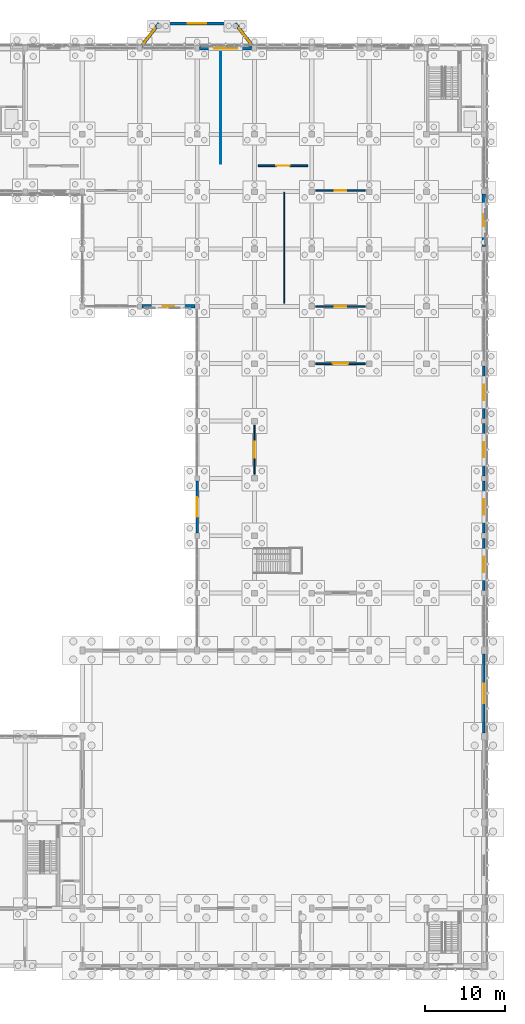
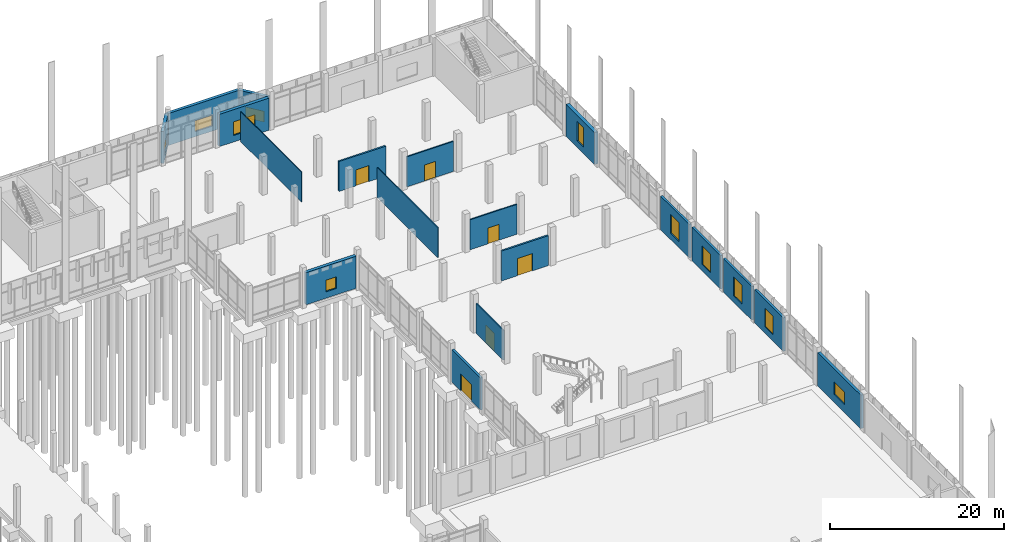
# One storey, part 90 of 109: 19 walls, 11 windows, 6 doors, 17 openings.
"""IFC4 building model written with IfcOpenShell, lengths in metres."""

from ifc_helpers import new_model, si_unit, direction, frame, frame_2d, origin, place, context, subcontext, project, spatial, rectangle, extrude, material, layer, layer_set, type_object, element, fill, save


model = new_model("IFC4")

# Units and contexts
model_context = context("Model", 3, precision=1e-05, world=origin(), true_north=direction((0.0, 1.0)))
body_context = subcontext(model_context, "Body", "Model", "MODEL_VIEW")
ifc_project = project(units=[si_unit("LENGTHUNIT", "METRE"), si_unit("AREAUNIT", "SQUARE_METRE"), si_unit("VOLUMEUNIT", "CUBIC_METRE"), si_unit("PLANEANGLEUNIT", "RADIAN"), si_unit("MASSUNIT", "GRAM", prefix="KILO")], contexts=[model_context])

# Site, building, storey
site_placement = place(None, origin())
site = spatial("IfcSite", under=ifc_project, at=site_placement, CompositionType="ELEMENT")
building_placement = place(site_placement, origin())
building = spatial("IfcBuilding", under=site, at=building_placement, Name="Lusvemor Sports Hall", CompositionType="ELEMENT")
storey_placement = place(building_placement, origin())
storey = spatial("IfcBuildingStorey", under=building, at=storey_placement, Name="L00", CompositionType="ELEMENT", Elevation=0.0)

# Wall, opening, window
ifc_material_1 = material(Name="Emerald polychrome glazed ceramic cladding on Concrete C40/50 backing", Category="concrete")
ifc_layer_1 = layer(ifc_material_1, 0.2900390625)
ifc_layer_set_1 = layer_set([ifc_layer_1], Name="Emerald polychrome glazed ceramic cladding on Concrete C40/50 backing")
wall_type_1 = type_object("IfcWallType", Name="EW_CLIMB_290", PredefinedType="STANDARD", material=ifc_layer_set_1)
wall_1_placement = place(storey_placement, frame((169.199951171875, 53.68408203125, 0.0), z_axis=(0.0, 0.0, 1.0), x_axis=(0.0, -1.0, 0.0)))
wall_1 = element("IfcWall", 1, at=wall_1_placement, inside=storey, type_object=wall_type_1, Name="Exterior Wall EW-V3E-L00-0", PredefinedType="STANDARD", context=body_context, shape_type="SweptSolid", body=[
    extrude(rectangle(XDim=6.568115234375, YDim=0.2900390625, at=frame_2d((3.2841796875, 0.0))), origin(), (0.0, 0.0, 1.0), 4.699951171875),
])
opening_1_placement = place(wall_1_placement, frame((2.323974609375, 0.0, 0.89990234375)))
opening_1 = element("IfcOpeningElement", 2, at=opening_1_placement, cuts=wall_1, Name="Opening WN23", PredefinedType="OPENING", context=body_context, shape_type="SweptSolid", body=[
    extrude(rectangle(XDim=1.919921875, YDim=2.6201171875, at=frame_2d((0.9599609375, 1.31005859375))), frame((0.0, 0.14501953125, 0.0), z_axis=(0.0, -1.0, 0.0), x_axis=(1.0, 0.0, 0.0)), (0.0, 0.0, 1.0), 0.2900390625),
])
ifc_material_2 = material(Name="Solar-control laminated double glazing", Category="glass")
window_type_1 = type_object("IfcWindowType", Name="WIN_23", PartitioningType="SINGLE_PANEL", PredefinedType="WINDOW", material=ifc_material_2)
window_1_placement = place(opening_1_placement, origin())
window_1 = element("IfcWindow", 3, at=window_1_placement, inside=storey, type_object=window_type_1, Name="Climbing Hall East Window L00-0", OverallHeight=2.6201171875, OverallWidth=1.919921875, PartitioningType="SINGLE_PANEL", PredefinedType="WINDOW", context=body_context, shape_type="SweptSolid", body=[
    extrude(rectangle(XDim=1.919921875, YDim=2.6201171875, at=frame_2d((0.9599609375, 1.31005859375))), frame((0.0, 0.030029296875, 0.0), z_axis=(0.0, -1.0, 0.0), x_axis=(1.0, 0.0, 0.0)), (0.0, 0.0, 1.0), 0.06005859375),
])
fill(opening_1, window_1)

# Wall, opening, door
wall_2_placement = place(storey_placement, frame((133.199951171875, 54.31591796875, 0.0), z_axis=(0.0, 0.0, 1.0), x_axis=(0.0, 1.0, 0.0)))
wall_2 = element("IfcWall", 4, at=wall_2_placement, inside=storey, type_object=wall_type_1, Name="Exterior Wall EW-V3W-L00-ENT", PredefinedType="STANDARD", context=body_context, shape_type="SweptSolid", body=[
    extrude(rectangle(XDim=6.568115234375, YDim=0.2900390625, at=frame_2d((3.2841796875, 0.0))), origin(), (0.0, 0.0, 1.0), 4.514892578125),
])
opening_2_placement = place(wall_2_placement, frame((2.053955078125, 0.0, 0.0)))
opening_2 = element("IfcOpeningElement", 5, at=opening_2_placement, cuts=wall_2, Name="Opening EG02", PredefinedType="OPENING", context=body_context, shape_type="SweptSolid", body=[
    extrude(rectangle(XDim=2.4599609375, YDim=2.340087890625, at=frame_2d((1.22998046875, 1.169921875))), frame((0.0, 0.14501953125, 0.0), z_axis=(0.0, -1.0, 0.0), x_axis=(1.0, 0.0, 0.0)), (0.0, 0.0, 1.0), 0.2900390625),
])
ifc_material_3 = material(Name="Thermally broken bronze-anodized aluminium", Category="aluminium")
door_type_1 = type_object("IfcDoorType", Name="EGATE_COURT_246x234", OperationType="NOTDEFINED", PredefinedType="GATE", material=ifc_material_3)
door_1_placement = place(opening_2_placement, origin())
door_1 = element("IfcDoor", 6, at=door_1_placement, inside=storey, type_object=door_type_1, Name="DR-026", OperationType="SINGLE_SWING_LEFT", OverallHeight=2.340087890625, OverallWidth=2.4599609375, PredefinedType="GATE", context=body_context, shape_type="SweptSolid", body=[
    extrude(rectangle(XDim=2.4599609375, YDim=2.340087890625, at=frame_2d((1.22998046875, 1.169921875))), frame((0.0, 0.02490234375, 0.0), z_axis=(0.0, -1.0, 0.0), x_axis=(1.0, 0.0, 0.0)), (0.0, 0.0, 1.0), 0.050048828125),
])
fill(opening_2, door_1)

# Wall, opening, window
wall_3_placement = place(storey_placement, frame((169.199951171875, 60.884033203125, 0.0), z_axis=(0.0, 0.0, 1.0), x_axis=(0.0, -1.0, 0.0)))
wall_3 = element("IfcWall", 7, at=wall_3_placement, inside=storey, type_object=wall_type_1, Name="Exterior Wall EW-V3E-L00-1", PredefinedType="STANDARD", context=body_context, shape_type="SweptSolid", body=[
    extrude(rectangle(XDim=6.568115234375, YDim=0.2900390625, at=frame_2d((3.2841796875, 0.0))), origin(), (0.0, 0.0, 1.0), 4.699951171875),
])
opening_3_placement = place(wall_3_placement, frame((2.323974609375, 0.0, 0.89990234375)))
opening_3 = element("IfcOpeningElement", 8, at=opening_3_placement, cuts=wall_3, Name="Opening WN23", PredefinedType="OPENING", context=body_context, shape_type="SweptSolid", body=[
    extrude(rectangle(XDim=1.919921875, YDim=2.6201171875, at=frame_2d((0.9599609375, 1.31005859375))), frame((0.0, 0.14501953125, 0.0), z_axis=(0.0, -1.0, 0.0), x_axis=(1.0, 0.0, 0.0)), (0.0, 0.0, 1.0), 0.2900390625),
])
window_2_placement = place(opening_3_placement, origin())
window_2 = element("IfcWindow", 9, at=window_2_placement, inside=storey, type_object=window_type_1, Name="Climbing Hall East Window L00-1", OverallHeight=2.6201171875, OverallWidth=1.919921875, PartitioningType="SINGLE_PANEL", PredefinedType="WINDOW", context=body_context, shape_type="SweptSolid", body=[
    extrude(rectangle(XDim=1.919921875, YDim=2.6201171875, at=frame_2d((0.9599609375, 1.31005859375))), frame((0.0, 0.030029296875, 0.0), z_axis=(0.0, -1.0, 0.0), x_axis=(1.0, 0.0, 0.0)), (0.0, 0.0, 1.0), 0.06005859375),
])
fill(opening_3, window_2)

wall_4_placement = place(storey_placement, frame((169.199951171875, 68.083984375, 0.0), z_axis=(0.0, 0.0, 1.0), x_axis=(0.0, -1.0, 0.0)))
wall_4 = element("IfcWall", 10, at=wall_4_placement, inside=storey, type_object=wall_type_1, Name="Exterior Wall EW-V3E-L00-2", PredefinedType="STANDARD", context=body_context, shape_type="SweptSolid", body=[
    extrude(rectangle(XDim=6.56787109375, YDim=0.2900390625, at=frame_2d((3.283935546875, 0.0))), origin(), (0.0, 0.0, 1.0), 4.699951171875),
])
opening_4_placement = place(wall_4_placement, frame((2.323974609375, 0.0, 0.89990234375)))
opening_4 = element("IfcOpeningElement", 11, at=opening_4_placement, cuts=wall_4, Name="Opening WN23", PredefinedType="OPENING", context=body_context, shape_type="SweptSolid", body=[
    extrude(rectangle(XDim=1.919921875, YDim=2.6201171875, at=frame_2d((0.9599609375, 1.31005859375))), frame((0.0, 0.14501953125, 0.0), z_axis=(0.0, -1.0, 0.0), x_axis=(1.0, 0.0, 0.0)), (0.0, 0.0, 1.0), 0.2900390625),
])
window_3_placement = place(opening_4_placement, origin())
window_3 = element("IfcWindow", 12, at=window_3_placement, inside=storey, type_object=window_type_1, Name="Climbing Hall East Window L00-2", OverallHeight=2.6201171875, OverallWidth=1.919921875, PartitioningType="SINGLE_PANEL", PredefinedType="WINDOW", context=body_context, shape_type="SweptSolid", body=[
    extrude(rectangle(XDim=1.919921875, YDim=2.6201171875, at=frame_2d((0.9599609375, 1.31005859375))), frame((0.0, 0.030029296875, 0.0), z_axis=(0.0, -1.0, 0.0), x_axis=(1.0, 0.0, 0.0)), (0.0, 0.0, 1.0), 0.06005859375),
])
fill(opening_4, window_3)

wall_5_placement = place(storey_placement, frame((169.199951171875, 75.283935546875, 0.0), z_axis=(0.0, 0.0, 1.0), x_axis=(0.0, -1.0, 0.0)))
wall_5 = element("IfcWall", 13, at=wall_5_placement, inside=storey, type_object=wall_type_1, Name="Exterior Wall EW-V3E-L00-3", PredefinedType="STANDARD", context=body_context, shape_type="SweptSolid", body=[
    extrude(rectangle(XDim=6.56787109375, YDim=0.2900390625, at=frame_2d((3.283935546875, 0.0))), origin(), (0.0, 0.0, 1.0), 4.699951171875),
])
opening_5_placement = place(wall_5_placement, frame((2.323974609375, 0.0, 0.89990234375)))
opening_5 = element("IfcOpeningElement", 14, at=opening_5_placement, cuts=wall_5, Name="Opening WN23", PredefinedType="OPENING", context=body_context, shape_type="SweptSolid", body=[
    extrude(rectangle(XDim=1.919921875, YDim=2.6201171875, at=frame_2d((0.9599609375, 1.31005859375))), frame((0.0, 0.14501953125, 0.0), z_axis=(0.0, -1.0, 0.0), x_axis=(1.0, 0.0, 0.0)), (0.0, 0.0, 1.0), 0.2900390625),
])
window_4_placement = place(opening_5_placement, origin())
window_4 = element("IfcWindow", 15, at=window_4_placement, inside=storey, type_object=window_type_1, Name="Climbing Hall East Window L00-3", OverallHeight=2.6201171875, OverallWidth=1.919921875, PartitioningType="SINGLE_PANEL", PredefinedType="WINDOW", context=body_context, shape_type="SweptSolid", body=[
    extrude(rectangle(XDim=1.919921875, YDim=2.6201171875, at=frame_2d((0.9599609375, 1.31005859375))), frame((0.0, 0.030029296875, 0.0), z_axis=(0.0, -1.0, 0.0), x_axis=(1.0, 0.0, 0.0)), (0.0, 0.0, 1.0), 0.06005859375),
])
fill(opening_5, window_4)

ifc_material_4 = material(Name="Precast granite-faced Concrete C40/50 architectural cladding", Category="masonry")
ifc_layer_2 = layer(ifc_material_4, 0.39501953125)
ifc_layer_set_2 = layer_set([ifc_layer_2], Name="Precast granite-faced Concrete C40/50 architectural cladding")
wall_type_2 = type_object("IfcWallType", Name="EW_GRANITE_395", PredefinedType="STANDARD", material=ifc_layer_set_2)
wall_6_placement = place(storey_placement, frame((126.14697265625, 115.389892578125, 0.0), z_axis=(0.0, 0.0, 1.0), x_axis=(0.612173192991, 0.790723707614, 0.0)))
wall_6 = element("IfcWall", 16, at=wall_6_placement, inside=storey, type_object=wall_type_2, Name="Art Nouveau Bow Wall EW-BOW-N3-L00-1", PredefinedType="STANDARD", context=body_context, shape_type="SweptSolid", body=[
    extrude(rectangle(XDim=3.723388671875, YDim=0.39501953125, at=frame_2d((1.86181640625, 0.0))), origin(), (0.0, 0.0, 1.0), 4.47998046875),
])
opening_6_placement = place(wall_6_placement, frame((0.56005859375, 0.0, 0.699951171875)))
opening_6 = element("IfcOpeningElement", 17, at=opening_6_placement, cuts=wall_6, Name="Opening WN21", PredefinedType="OPENING", context=body_context, shape_type="SweptSolid", body=[
    extrude(rectangle(XDim=2.320068359375, YDim=1.52001953125, at=frame_2d((1.16015625, 0.760009765625))), frame((0.0, 0.197509765625, 0.0), z_axis=(0.0, -1.0, 0.0), x_axis=(1.0, 0.0, 0.0)), (0.0, 0.0, 1.0), 0.39501953125),
])
ifc_material_5 = material(Name="Solar-control laminated double glazing", Category="glass")
window_type_2 = type_object("IfcWindowType", Name="WIN_21", PartitioningType="SINGLE_PANEL", PredefinedType="WINDOW", material=ifc_material_5)
window_5_placement = place(opening_6_placement, origin())
window_5 = element("IfcWindow", 18, at=window_5_placement, inside=storey, type_object=window_type_2, Name="Art Nouveau Bow Window BOW-N3 L00-1", OverallHeight=1.52001953125, OverallWidth=2.320068359375, PartitioningType="SINGLE_PANEL", PredefinedType="WINDOW", context=body_context, shape_type="SweptSolid", body=[
    extrude(rectangle(XDim=2.320068359375, YDim=1.52001953125, at=frame_2d((1.16015625, 0.760009765625))), frame((0.0, 0.030029296875, 0.0), z_axis=(0.0, -1.0, 0.0), x_axis=(1.0, 0.0, 0.0)), (0.0, 0.0, 1.0), 0.06005859375),
])
fill(opening_6, window_5)

wall_7_placement = place(storey_placement, frame((128.52001953125, 118.300048828125, 0.0), z_axis=(0.0, 0.0, 1.0), x_axis=(1.0, 0.0, 0.0)))
wall_7 = element("IfcWall", 19, at=wall_7_placement, inside=storey, type_object=wall_type_2, Name="Art Nouveau Bow Wall EW-BOW-N3-L00-2", PredefinedType="STANDARD", context=body_context, shape_type="SweptSolid", body=[
    extrude(rectangle(XDim=9.35986328125, YDim=0.39501953125, at=frame_2d((4.679931640625, 0.0))), origin(), (0.0, 0.0, 1.0), 4.47998046875),
])
opening_7_placement = place(wall_7_placement, frame((3.52001953125, 0.0, 0.699951171875)))
opening_7 = element("IfcOpeningElement", 20, at=opening_7_placement, cuts=wall_7, Name="Opening WN21", PredefinedType="OPENING", context=body_context, shape_type="SweptSolid", body=[
    extrude(rectangle(XDim=2.320068359375, YDim=1.52001953125, at=frame_2d((1.16015625, 0.760009765625))), frame((0.0, 0.197509765625, 0.0), z_axis=(0.0, -1.0, 0.0), x_axis=(1.0, 0.0, 0.0)), (0.0, 0.0, 1.0), 0.39501953125),
])
window_6_placement = place(opening_7_placement, origin())
window_6 = element("IfcWindow", 21, at=window_6_placement, inside=storey, type_object=window_type_2, Name="Art Nouveau Bow Window BOW-N3 L00-2", OverallHeight=1.52001953125, OverallWidth=2.320068359375, PartitioningType="SINGLE_PANEL", PredefinedType="WINDOW", context=body_context, shape_type="SweptSolid", body=[
    extrude(rectangle(XDim=2.320068359375, YDim=1.52001953125, at=frame_2d((1.16015625, 0.760009765625))), frame((0.0, 0.030029296875, 0.0), z_axis=(0.0, -1.0, 0.0), x_axis=(1.0, 0.0, 0.0)), (0.0, 0.0, 1.0), 0.06005859375),
])
fill(opening_7, window_6)

wall_8_placement = place(storey_placement, frame((137.9736328125, 118.333984375, 0.0), z_axis=(0.0, 0.0, 1.0), x_axis=(0.612214188553, -0.790691967415, 0.0)))
wall_8 = element("IfcWall", 22, at=wall_8_placement, inside=storey, type_object=wall_type_2, Name="Art Nouveau Bow Wall EW-BOW-N3-L00-3", PredefinedType="STANDARD", context=body_context, shape_type="SweptSolid", body=[
    extrude(rectangle(XDim=3.723388671875, YDim=0.39501953125, at=frame_2d((1.86181640625, 0.0))), origin(), (0.0, 0.0, 1.0), 4.47998046875),
])
opening_8_placement = place(wall_8_placement, frame((0.843017578125, 0.0, 0.699951171875)))
opening_8 = element("IfcOpeningElement", 23, at=opening_8_placement, cuts=wall_8, Name="Opening WN21", PredefinedType="OPENING", context=body_context, shape_type="SweptSolid", body=[
    extrude(rectangle(XDim=2.320068359375, YDim=1.52001953125, at=frame_2d((1.16015625, 0.760009765625))), frame((0.0, 0.197509765625, 0.0), z_axis=(0.0, -1.0, 0.0), x_axis=(1.0, 0.0, 0.0)), (0.0, 0.0, 1.0), 0.39501953125),
])
window_7_placement = place(opening_8_placement, origin())
window_7 = element("IfcWindow", 24, at=window_7_placement, inside=storey, type_object=window_type_2, Name="Art Nouveau Bow Window BOW-N3 L00-3", OverallHeight=1.52001953125, OverallWidth=2.320068359375, PartitioningType="SINGLE_PANEL", PredefinedType="WINDOW", context=body_context, shape_type="SweptSolid", body=[
    extrude(rectangle(XDim=2.320068359375, YDim=1.52001953125, at=frame_2d((1.16015625, 0.760009765625))), frame((0.0, 0.030029296875, 0.0), z_axis=(0.0, -1.0, 0.0), x_axis=(1.0, 0.0, 0.0)), (0.0, 0.0, 1.0), 0.06005859375),
])
fill(opening_8, window_7)

ifc_material_6 = material(Name="Precast granite-faced Concrete C40/50 architectural cladding", Category="masonry")
ifc_layer_3 = layer(ifc_material_6, 0.419921875)
ifc_layer_set_3 = layer_set([ifc_layer_3], Name="Precast granite-faced Concrete C40/50 architectural cladding")
wall_type_3 = type_object("IfcWallType", Name="EW_GRANITE_420", PredefinedType="STANDARD", material=ifc_layer_set_3)
wall_9_placement = place(storey_placement, frame((133.47607421875, 115.199951171875, 0.0), z_axis=(0.0, 0.0, 1.0), x_axis=(1.0, 0.0, 0.0)))
wall_9 = element("IfcWall", 25, at=wall_9_placement, inside=storey, type_object=wall_type_3, Name="Exterior Wall EW-L00-N-1-14", PredefinedType="STANDARD", context=body_context, shape_type="SweptSolid", body=[
    extrude(rectangle(XDim=6.57666015625, YDim=0.419921875, at=frame_2d((3.288330078125, 0.0))), origin(), (0.0, 0.0, 1.0), 4.514892578125),
])
opening_9_placement = place(wall_9_placement, frame((1.904052734375, 0.0, 0.89990234375)))
opening_9 = element("IfcOpeningElement", 26, at=opening_9_placement, cuts=wall_9, Name="Opening WN17", PredefinedType="OPENING", context=body_context, shape_type="SweptSolid", body=[
    extrude(rectangle(XDim=2.840087890625, YDim=1.919921875, at=frame_2d((1.419921875, 0.9599609375))), frame((0.0, 0.2099609375, 0.0), z_axis=(0.0, -1.0, 0.0), x_axis=(1.0, 0.0, 0.0)), (0.0, 0.0, 1.0), 0.419921875),
])
ifc_material_7 = material(Name="Solar-control laminated double glazing", Category="glass")
window_type_3 = type_object("IfcWindowType", Name="WIN_17", PartitioningType="SINGLE_PANEL", PredefinedType="WINDOW", material=ifc_material_7)
window_8_placement = place(opening_9_placement, origin())
window_8 = element("IfcWindow", 27, at=window_8_placement, inside=storey, type_object=window_type_3, Name="Wing Window L00-N-1-14", OverallHeight=1.919921875, OverallWidth=2.840087890625, PartitioningType="SINGLE_PANEL", PredefinedType="WINDOW", context=body_context, shape_type="SweptSolid", body=[
    extrude(rectangle(XDim=2.840087890625, YDim=1.919921875, at=frame_2d((1.419921875, 0.9599609375))), frame((0.0, 0.030029296875, 0.0), z_axis=(0.0, -1.0, 0.0), x_axis=(1.0, 0.0, 0.0)), (0.0, 0.0, 1.0), 0.06005859375),
])
fill(opening_9, window_8)

wall_10_placement = place(storey_placement, frame((169.199951171875, 96.884033203125, 0.0), z_axis=(0.0, 0.0, 1.0), x_axis=(0.0, -1.0, 0.0)))
wall_10 = element("IfcWall", 28, at=wall_10_placement, inside=storey, type_object=wall_type_3, Name="Exterior Wall EW-L00-E-2-1", PredefinedType="STANDARD", context=body_context, shape_type="SweptSolid", body=[
    extrude(rectangle(XDim=6.568115234375, YDim=0.419921875, at=frame_2d((3.2841796875, 0.0))), origin(), (0.0, 0.0, 1.0), 4.5048828125),
])
opening_10_placement = place(wall_10_placement, frame((2.52392578125, 0.0, 0.89990234375)))
opening_10 = element("IfcOpeningElement", 29, at=opening_10_placement, cuts=wall_10, Name="Opening WN06", PredefinedType="OPENING", context=body_context, shape_type="SweptSolid", body=[
    extrude(rectangle(XDim=1.52001953125, YDim=2.75, at=frame_2d((0.760009765625, 1.375))), frame((0.0, 0.2099609375, 0.0), z_axis=(0.0, -1.0, 0.0), x_axis=(1.0, 0.0, 0.0)), (0.0, 0.0, 1.0), 0.419921875),
])
ifc_material_8 = material(Name="Solar-control laminated double glazing", Category="glass")
window_type_4 = type_object("IfcWindowType", Name="WIN_06", PartitioningType="SINGLE_PANEL", PredefinedType="WINDOW", material=ifc_material_8)
window_9_placement = place(opening_10_placement, origin())
window_9 = element("IfcWindow", 30, at=window_9_placement, inside=storey, type_object=window_type_4, Name="Wing Window L00-E-2-1", OverallHeight=2.75, OverallWidth=1.52001953125, PartitioningType="SINGLE_PANEL", PredefinedType="WINDOW", context=body_context, shape_type="SweptSolid", body=[
    extrude(rectangle(XDim=1.52001953125, YDim=2.75, at=frame_2d((0.760009765625, 1.375))), frame((0.0, 0.030029296875, 0.0), z_axis=(0.0, -1.0, 0.0), x_axis=(1.0, 0.0, 0.0)), (0.0, 0.0, 1.0), 0.06005859375),
])
fill(opening_10, window_9)

wall_11_placement = place(storey_placement, frame((132.924072265625, 82.800048828125, 0.0), z_axis=(0.0, 0.0, 1.0), x_axis=(-1.0, 0.0, 0.0)))
wall_11 = element("IfcWall", 31, at=wall_11_placement, inside=storey, type_object=wall_type_3, Name="Exterior Wall EW-L00-S-5-1", PredefinedType="STANDARD", context=body_context, shape_type="SweptSolid", body=[
    extrude(rectangle(XDim=6.648193359375, YDim=0.419921875, at=frame_2d((3.32421875, 0.0))), origin(), (0.0, 0.0, 1.0), 4.5048828125),
])
opening_11_placement = place(wall_11_placement, frame((2.614013671875, 0.0, 0.89990234375)))
opening_11 = element("IfcOpeningElement", 32, at=opening_11_placement, cuts=wall_11, Name="Opening WN12", PredefinedType="OPENING", context=body_context, shape_type="SweptSolid", body=[
    extrude(rectangle(XDim=1.419921875, YDim=1.6201171875, at=frame_2d((0.7099609375, 0.81005859375))), frame((0.0, 0.2099609375, 0.0), z_axis=(0.0, -1.0, 0.0), x_axis=(1.0, 0.0, 0.0)), (0.0, 0.0, 1.0), 0.419921875),
])
ifc_material_9 = material(Name="Solar-control laminated double glazing", Category="glass")
window_type_5 = type_object("IfcWindowType", Name="WIN_12", PartitioningType="SINGLE_PANEL", PredefinedType="WINDOW", material=ifc_material_9)
window_10_placement = place(opening_11_placement, origin())
window_10 = element("IfcWindow", 33, at=window_10_placement, inside=storey, type_object=window_type_5, Name="Wing Window L00-S-5-1", OverallHeight=1.6201171875, OverallWidth=1.419921875, PartitioningType="SINGLE_PANEL", PredefinedType="WINDOW", context=body_context, shape_type="SweptSolid", body=[
    extrude(rectangle(XDim=1.419921875, YDim=1.6201171875, at=frame_2d((0.7099609375, 0.81005859375))), frame((0.0, 0.030029296875, 0.0), z_axis=(0.0, -1.0, 0.0), x_axis=(1.0, 0.0, 0.0)), (0.0, 0.0, 1.0), 0.06005859375),
])
fill(opening_11, window_10)

ifc_material_10 = material(Name="Warm terracotta Art Nouveau ceramic cladding on Concrete C40/50 backing", Category="masonry")
ifc_layer_4 = layer(ifc_material_10, 0.340087890625)
ifc_layer_set_4 = layer_set([ifc_layer_4], Name="Warm terracotta Art Nouveau ceramic cladding on Concrete C40/50 backing")
wall_type_4 = type_object("IfcWallType", Name="EW_TERR_CAV_340", PredefinedType="STANDARD", material=ifc_layer_set_4)
wall_12_placement = place(storey_placement, frame((169.199951171875, 39.154052734375, 0.0), z_axis=(0.0, 0.0, 1.0), x_axis=(0.0, -1.0, 0.0)))
wall_12 = element("IfcWall", 34, at=wall_12_placement, inside=storey, type_object=wall_type_4, Name="Exterior Wall EW-V2E-L00-3", PredefinedType="STANDARD", context=body_context, shape_type="SweptSolid", body=[
    extrude(rectangle(XDim=9.907958984375, YDim=0.340087890625, at=frame_2d((4.9541015625, 0.0))), origin(), (0.0, 0.0, 1.0), 4.699951171875),
])
opening_12_placement = place(wall_12_placement, frame((3.714111328125, 0.0, 1.10009765625)))
opening_12 = element("IfcOpeningElement", 35, at=opening_12_placement, cuts=wall_12, Name="Opening WN34", PredefinedType="OPENING", context=body_context, shape_type="SweptSolid", body=[
    extrude(rectangle(XDim=2.47998046875, YDim=1.739990234375, at=frame_2d((1.239990234375, 0.8701171875))), frame((0.0, 0.169921875, 0.0), z_axis=(0.0, -1.0, 0.0), x_axis=(1.0, 0.0, 0.0)), (0.0, 0.0, 1.0), 0.340087890625),
])
ifc_material_11 = material(Name="Solar-control laminated double glazing", Category="glass")
window_type_6 = type_object("IfcWindowType", Name="WIN_34", PartitioningType="SINGLE_PANEL", PredefinedType="WINDOW", material=ifc_material_11)
window_11_placement = place(opening_12_placement, origin())
window_11 = element("IfcWindow", 36, at=window_11_placement, inside=storey, type_object=window_type_6, Name="East Facade Window L00-3", OverallHeight=1.739990234375, OverallWidth=2.47998046875, PartitioningType="SINGLE_PANEL", PredefinedType="WINDOW", context=body_context, shape_type="SweptSolid", body=[
    extrude(rectangle(XDim=2.47998046875, YDim=1.739990234375, at=frame_2d((1.239990234375, 0.8701171875))), frame((0.0, 0.030029296875, 0.0), z_axis=(0.0, -1.0, 0.0), x_axis=(1.0, 0.0, 0.0)), (0.0, 0.0, 1.0), 0.06005859375),
])
fill(opening_12, window_11)

# Wall, opening, door
ifc_material_12 = material(Name="Double-leaf acoustic gypsum board on metal studs")
ifc_layer_5 = layer(ifc_material_12, 0.179931640625)
ifc_layer_set_5 = layer_set([ifc_layer_5], Name="Double-leaf acoustic gypsum board on metal studs")
wall_type_5 = type_object("IfcWallType", Name="IW_ACOUST_184", PredefinedType="STANDARD", material=ifc_layer_set_5)
wall_13_placement = place(storey_placement, frame((140.39990234375, 61.699951171875, 0.0), z_axis=(0.0, 0.0, 1.0), x_axis=(0.0, 1.0, 0.0)))
wall_13 = element("IfcWall", 37, at=wall_13_placement, inside=storey, type_object=wall_type_5, Name="Partition IW-L00-BOULD-E", PredefinedType="STANDARD", context=body_context, shape_type="SweptSolid", body=[
    extrude(rectangle(XDim=6.199951171875, YDim=0.179931640625, at=frame_2d((3.10009765625, 0.0))), origin(), (0.0, 0.0, 1.0), 4.199951171875),
])
opening_13_placement = place(wall_13_placement, frame((2.10009765625, 0.0, 0.0)))
opening_13 = element("IfcOpeningElement", 38, at=opening_13_placement, cuts=wall_13, Name="Opening ID03", PredefinedType="OPENING", context=body_context, shape_type="SweptSolid", body=[
    extrude(rectangle(XDim=2.0, YDim=2.419921875, at=frame_2d((1.0, 1.2099609375))), frame((0.0, 0.08984375, 0.0), z_axis=(0.0, -1.0, 0.0), x_axis=(1.0, 0.0, 0.0)), (0.0, 0.0, 1.0), 0.179931640625),
])
ifc_material_13 = material(Name="Acoustic solid-core hardwood door leaf in steel frame", Category="steel")
door_type_2 = type_object("IfcDoorType", Name="IDR_CLIMB_DBL_200", OperationType="NOTDEFINED", PredefinedType="DOOR", material=ifc_material_13)
door_2_placement = place(opening_13_placement, origin())
door_2 = element("IfcDoor", 39, at=door_2_placement, inside=storey, type_object=door_type_2, Name="DR-155", OperationType="SINGLE_SWING_LEFT", OverallHeight=2.419921875, OverallWidth=2.0, PredefinedType="DOOR", context=body_context, shape_type="SweptSolid", body=[
    extrude(rectangle(XDim=2.0, YDim=2.419921875, at=frame_2d((1.0, 1.2099609375))), frame((0.0, 0.02490234375, 0.0), z_axis=(0.0, -1.0, 0.0), x_axis=(1.0, 0.0, 0.0)), (0.0, 0.0, 1.0), 0.050048828125),
])
fill(opening_13, door_2)

wall_14_placement = place(storey_placement, frame((148.10009765625, 97.35009765625, 0.0), z_axis=(0.0, 0.0, 1.0), x_axis=(1.0, 0.0, 0.0)))
wall_14 = element("IfcWall", 40, at=wall_14_placement, inside=storey, type_object=wall_type_5, Name="Partition IW-L00-NE-FIT", PredefinedType="STANDARD", context=body_context, shape_type="SweptSolid", body=[
    extrude(rectangle(XDim=6.199951171875, YDim=0.179931640625, at=frame_2d((3.10009765625, 0.0))), origin(), (0.0, 0.0, 1.0), 4.199951171875),
])
opening_14_placement = place(wall_14_placement, frame((2.3701171875, 0.0, 0.0)))
opening_14 = element("IfcOpeningElement", 41, at=opening_14_placement, cuts=wall_14, Name="Opening ID05", PredefinedType="OPENING", context=body_context, shape_type="SweptSolid", body=[
    extrude(rectangle(XDim=1.4599609375, YDim=2.239990234375, at=frame_2d((0.72998046875, 1.1201171875))), frame((0.0, 0.08984375, 0.0), z_axis=(0.0, -1.0, 0.0), x_axis=(1.0, 0.0, 0.0)), (0.0, 0.0, 1.0), 0.179931640625),
])
ifc_material_14 = material(Name="Acoustic solid-core hardwood door leaf in steel frame", Category="steel")
door_type_3 = type_object("IfcDoorType", Name="IDR_STUDIO_146", OperationType="NOTDEFINED", PredefinedType="DOOR", material=ifc_material_14)
door_3_placement = place(opening_14_placement, origin())
door_3 = element("IfcDoor", 42, at=door_3_placement, inside=storey, type_object=door_type_3, Name="DR-167", OperationType="SINGLE_SWING_LEFT", OverallHeight=2.239990234375, OverallWidth=1.4599609375, PredefinedType="DOOR", context=body_context, shape_type="SweptSolid", body=[
    extrude(rectangle(XDim=1.4599609375, YDim=2.239990234375, at=frame_2d((0.72998046875, 1.1201171875))), frame((0.0, 0.02490234375, 0.0), z_axis=(0.0, -1.0, 0.0), x_axis=(1.0, 0.0, 0.0)), (0.0, 0.0, 1.0), 0.050048828125),
])
fill(opening_14, door_3)

ifc_material_15 = material(Name="Plastered ceramic masonry blockwork", Category="masonry")
ifc_layer_6 = layer(ifc_material_15, 0.219970703125)
ifc_layer_set_6 = layer_set([ifc_layer_6], Name="Plastered ceramic masonry blockwork")
wall_type_6 = type_object("IfcWallType", Name="IW_COMP_224", PredefinedType="STANDARD", material=ifc_layer_set_6)
wall_15_placement = place(storey_placement, frame((148.10009765625, 75.60009765625, 0.0), z_axis=(0.0, 0.0, 1.0), x_axis=(1.0, 0.0, 0.0)))
wall_15 = element("IfcWall", 43, at=wall_15_placement, inside=storey, type_object=wall_type_6, Name="Partition IW-L00-CLIMB-N", PredefinedType="STANDARD", context=body_context, shape_type="SweptSolid", body=[
    extrude(rectangle(XDim=6.199951171875, YDim=0.219970703125, at=frame_2d((3.10009765625, 0.0))), origin(), (0.0, 0.0, 1.0), 4.199951171875),
])
opening_15_placement = place(wall_15_placement, frame((2.10009765625, 0.0, 0.0)))
opening_15 = element("IfcOpeningElement", 44, at=opening_15_placement, cuts=wall_15, Name="Opening ID03", PredefinedType="OPENING", context=body_context, shape_type="SweptSolid", body=[
    extrude(rectangle(XDim=2.0, YDim=2.419921875, at=frame_2d((1.0, 1.2099609375))), frame((0.0, 0.10986328125, 0.0), z_axis=(0.0, -1.0, 0.0), x_axis=(1.0, 0.0, 0.0)), (0.0, 0.0, 1.0), 0.219970703125),
])
door_4_placement = place(opening_15_placement, origin())
door_4 = element("IfcDoor", 45, at=door_4_placement, inside=storey, type_object=door_type_2, Name="DR-156", OperationType="SINGLE_SWING_RIGHT", OverallHeight=2.419921875, OverallWidth=2.0, PredefinedType="DOOR", context=body_context, shape_type="SweptSolid", body=[
    extrude(rectangle(XDim=2.0, YDim=2.419921875, at=frame_2d((1.0, 1.2099609375))), frame((0.0, 0.02490234375, 0.0), z_axis=(0.0, -1.0, 0.0), x_axis=(1.0, 0.0, 0.0)), (0.0, 0.0, 1.0), 0.050048828125),
])
fill(opening_15, door_4)

wall_16_placement = place(storey_placement, frame((140.89990234375, 100.449951171875, 0.0), z_axis=(0.0, 0.0, 1.0), x_axis=(1.0, 0.0, 0.0)))
wall_16 = element("IfcWall", 46, at=wall_16_placement, inside=storey, type_object=wall_type_6, Name="Partition IW-L00-CNN-REFUSE", PredefinedType="STANDARD", context=body_context, shape_type="SweptSolid", body=[
    extrude(rectangle(XDim=6.2001953125, YDim=0.219970703125, at=frame_2d((3.10009765625, 0.0))), origin(), (0.0, 0.0, 1.0), 4.199951171875),
])
opening_16_placement = place(wall_16_placement, frame((2.25, 0.0, 0.0)))
opening_16 = element("IfcOpeningElement", 47, at=opening_16_placement, cuts=wall_16, Name="Opening DR-FD60-03", PredefinedType="OPENING", context=body_context, shape_type="SweptSolid", body=[
    extrude(rectangle(XDim=1.699951171875, YDim=2.260009765625, at=frame_2d((0.85009765625, 1.1298828125))), frame((0.0, 0.10986328125, 0.0), z_axis=(0.0, -1.0, 0.0), x_axis=(1.0, 0.0, 0.0)), (0.0, 0.0, 1.0), 0.219970703125),
])
ifc_material_16 = material(Name="Fire-rated insulated painted steel door assembly", Category="steel")
door_type_4 = type_object("IfcDoorType", Name="IDR_STORE_FD60_170", OperationType="NOTDEFINED", PredefinedType="DOOR", material=ifc_material_16)
door_5_placement = place(opening_16_placement, origin())
door_5 = element("IfcDoor", 48, at=door_5_placement, inside=storey, type_object=door_type_4, Name="DR-165", OperationType="SINGLE_SWING_LEFT", OverallHeight=2.260009765625, OverallWidth=1.699951171875, PredefinedType="DOOR", context=body_context, shape_type="SweptSolid", body=[
    extrude(rectangle(XDim=1.699951171875, YDim=2.260009765625, at=frame_2d((0.85009765625, 1.1298828125))), frame((0.0, 0.02490234375, 0.0), z_axis=(0.0, -1.0, 0.0), x_axis=(1.0, 0.0, 0.0)), (0.0, 0.0, 1.0), 0.050048828125),
])
fill(opening_16, door_5)

ifc_material_17 = material(Name="Double-leaf acoustic gypsum board on metal studs")
ifc_layer_7 = layer(ifc_material_17, 0.169921875)
ifc_layer_set_7 = layer_set([ifc_layer_7], Name="Double-leaf acoustic gypsum board on metal studs")
wall_type_7 = type_object("IfcWallType", Name="IW_CORR_168", PredefinedType="STANDARD", material=ifc_layer_set_7)
wall_17_placement = place(storey_placement, frame((148.10009765625, 82.800048828125, 0.0), z_axis=(0.0, 0.0, 1.0), x_axis=(1.0, 0.0, 0.0)))
wall_17 = element("IfcWall", 49, at=wall_17_placement, inside=storey, type_object=wall_type_7, Name="Partition IW-L00-NLINK-N", PredefinedType="STANDARD", context=body_context, shape_type="SweptSolid", body=[
    extrude(rectangle(XDim=6.199951171875, YDim=0.169921875, at=frame_2d((3.10009765625, 0.0))), origin(), (0.0, 0.0, 1.0), 4.199951171875),
])
opening_17_placement = place(wall_17_placement, frame((2.360107421875, 0.0, 0.0)))
opening_17 = element("IfcOpeningElement", 50, at=opening_17_placement, cuts=wall_17, Name="Opening ID23", PredefinedType="OPENING", context=body_context, shape_type="SweptSolid", body=[
    extrude(rectangle(XDim=1.47998046875, YDim=2.219970703125, at=frame_2d((0.739990234375, 1.10986328125))), frame((0.0, 0.0849609375, 0.0), z_axis=(0.0, -1.0, 0.0), x_axis=(1.0, 0.0, 0.0)), (0.0, 0.0, 1.0), 0.169921875),
])
ifc_material_18 = material(Name="Acoustic solid-core hardwood door leaf in steel frame", Category="steel")
door_type_5 = type_object("IfcDoorType", Name="IDR_LNGE_148", OperationType="NOTDEFINED", PredefinedType="DOOR", material=ifc_material_18)
door_6_placement = place(opening_17_placement, origin())
door_6 = element("IfcDoor", 51, at=door_6_placement, inside=storey, type_object=door_type_5, Name="DR-157", OperationType="SINGLE_SWING_LEFT", OverallHeight=2.219970703125, OverallWidth=1.47998046875, PredefinedType="DOOR", context=body_context, shape_type="SweptSolid", body=[
    extrude(rectangle(XDim=1.47998046875, YDim=2.219970703125, at=frame_2d((0.739990234375, 1.10986328125))), frame((0.0, 0.02490234375, 0.0), z_axis=(0.0, -1.0, 0.0), x_axis=(1.0, 0.0, 0.0)), (0.0, 0.0, 1.0), 0.050048828125),
])
fill(opening_17, door_6)

# Walls
ifc_material_19 = material(Name="Double-leaf acoustic gypsum board on metal studs")
ifc_layer_8 = layer(ifc_material_19, 0.10009765625)
ifc_layer_set_8 = layer_set([ifc_layer_8], Name="Double-leaf acoustic gypsum board on metal studs")
wall_type_8 = type_object("IfcWallType", Name="IW_PART_108", PredefinedType="STANDARD", material=ifc_layer_set_8)
wall_18_placement = place(storey_placement, frame((136.14990234375, 100.699951171875, 0.0), z_axis=(0.0, 0.0, 1.0), x_axis=(0.0, 1.0, 0.0)))
element("IfcWall", 52, at=wall_18_placement, inside=storey, type_object=wall_type_8, Name="Partition IW-L00-CNNDIV-136", PredefinedType="STANDARD", context=body_context, shape_type="SweptSolid", body=[
    extrude(rectangle(XDim=14.0, YDim=0.10009765625, at=frame_2d((7.0, 0.0))), origin(), (0.0, 0.0, 1.0), 4.199951171875),
])
ifc_material_20 = material(Name="Acoustic timber-veneered operable partition", Category="wood")
ifc_layer_9 = layer(ifc_material_20, 0.1298828125)
ifc_layer_set_9 = layer_set([ifc_layer_9], Name="Acoustic timber-veneered operable partition")
wall_type_9 = type_object("IfcWallType", Name="MW_OPER_144", PredefinedType="MOVABLE", material=ifc_layer_set_9)
wall_19_placement = place(storey_placement, frame((144.14990234375, 83.199951171875, 0.0), z_axis=(0.0, 0.0, 1.0), x_axis=(0.0, 1.0, 0.0)))
element("IfcWall", 53, at=wall_19_placement, inside=storey, type_object=wall_type_9, Name="Partition IW-L00-NE-DIV", PredefinedType="MOVABLE", context=body_context, shape_type="SweptSolid", body=[
    extrude(rectangle(XDim=13.900146484375, YDim=0.1298828125, at=frame_2d((6.9501953125, 0.0))), origin(), (0.0, 0.0, 1.0), 4.199951171875),
])

save(model, "model.ifc")
